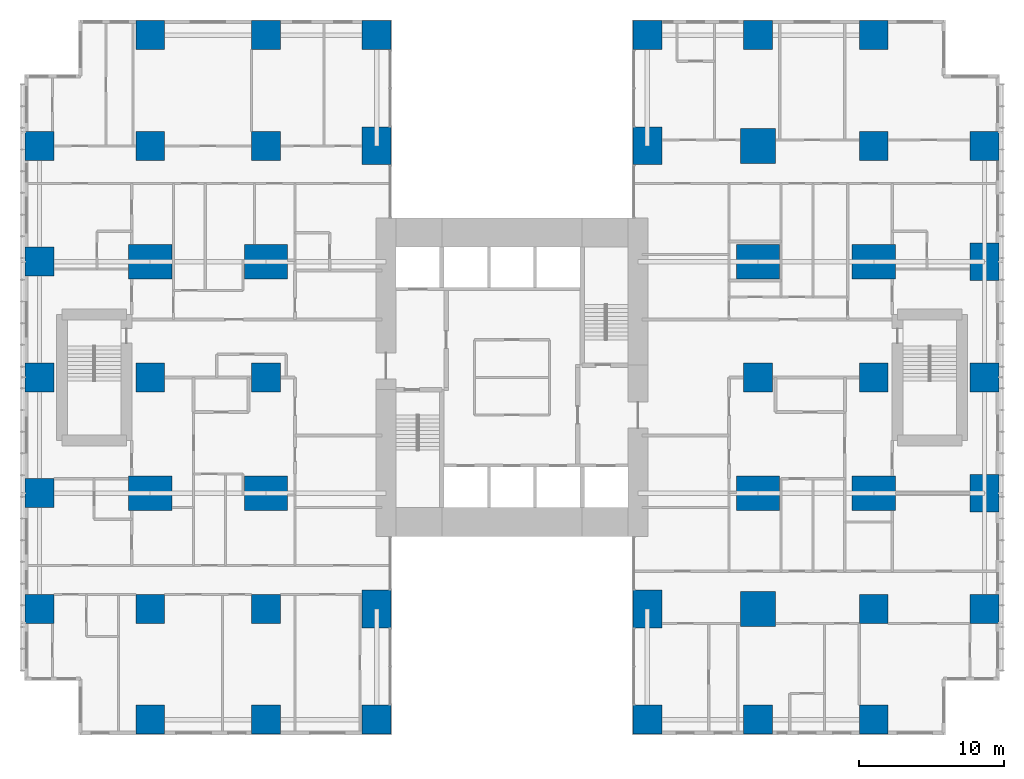
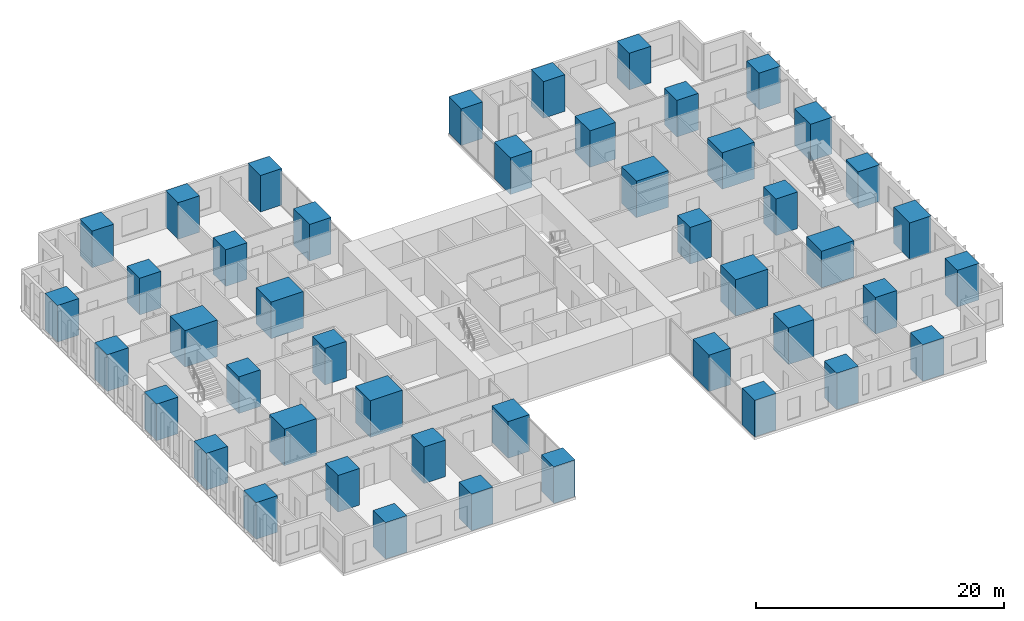
# One storey, part 1 of 20: 46 columns.
"""IFC4 building model written with IfcOpenShell, lengths in metres."""

from ifc_helpers import new_model, si_unit, direction, frame, origin, origin_2d, place, context, subcontext, project, spatial, rectangle, extrude, material, material_profile, profile_set, type_object, element, save


model = new_model("IFC4")

# Units and contexts
model_context = context("Model", 3, precision=1e-05, world=origin(), true_north=direction((0.0, 1.0)))
body_context = subcontext(model_context, "Body", "Model", "MODEL_VIEW")
ifc_project = project(units=[si_unit("LENGTHUNIT", "METRE"), si_unit("AREAUNIT", "SQUARE_METRE"), si_unit("VOLUMEUNIT", "CUBIC_METRE"), si_unit("PLANEANGLEUNIT", "RADIAN"), si_unit("MASSUNIT", "GRAM", prefix="KILO")], contexts=[model_context])

# Site, building, storey
site_placement = place(None, origin())
site = spatial("IfcSite", under=ifc_project, at=site_placement, CompositionType="ELEMENT")
building_placement = place(site_placement, origin())
building = spatial("IfcBuilding", under=site, at=building_placement, Name="Cleftline Residences", CompositionType="ELEMENT")
storey_placement = place(building_placement, frame((0.0, 0.0, 69.199951171875)))
storey = spatial("IfcBuildingStorey", under=building, at=storey_placement, Name="L17", CompositionType="ELEMENT", Elevation=69.199951171875)

# Columns
ifc_material_1 = material(Name="Concrete B70", Category="concrete")
ifc_material_profile_1 = material_profile(ifc_material_1, rectangle(XDim=2.0, YDim=2.0, at=origin_2d()))
ifc_profile_set_1 = profile_set([ifc_material_profile_1], Name="Concrete B70")
column_type_1 = type_object("IfcColumnType", Name="COLUMN RC2000X2000", PredefinedType="COLUMN", material=ifc_profile_set_1)
for number, where, z_axis, x_axis, name in (
    (1, (0.35009765625, 8.0, 0.0), (0.0, 0.0, 1.0), (1.0, 0.0, 0.0), "Column D/3"),
    (2, (0.35009765625, 16.0, 0.0), (0.0, 0.0, 1.0), (1.0, 0.0, 0.0), "Column E/3"),
    (3, (0.35009765625, 24.0, 0.0), (0.0, 0.0, 1.0), (1.0, 0.0, 0.0), "Column F/3"),
    (4, (0.35009765625, 32.0, 0.0), (0.0, 0.0, 1.0), (1.0, 0.0, 0.0), "Column G/3"),
    (5, (0.35009765625, 40.0, 0.0), (0.0, 0.0, 1.0), (1.0, 0.0, 0.0), "Column H/3"),
    (6, (8.0, 0.35009765625, 0.0), (0.0, 0.0, 1.0), (1.0, 0.0, 0.0), "Column C/4"),
    (7, (8.0, 8.0, 0.0), (0.0, 0.0, 1.0), (1.0, 0.0, 0.0), "Column D/4"),
    (8, (8.0, 24.0, 0.0), (0.0, 0.0, 1.0), (1.0, 0.0, 0.0), "Column F/4"),
    (9, (8.0, 40.0, 0.0), (0.0, 0.0, 1.0), (1.0, 0.0, 0.0), "Column H/4"),
    (10, (8.0, 47.64990234375, 0.0), (0.0, 0.0, 1.0), (1.0, 0.0, 0.0), "Column J/4"),
    (11, (16.0, 0.35009765625, 0.0), (0.0, 0.0, 1.0), (1.0, 0.0, 0.0), "Column C/5"),
    (12, (16.0, 8.0, 0.0), (0.0, 0.0, 1.0), (1.0, 0.0, 0.0), "Column D/5"),
    (13, (16.0, 24.0, 0.0), (0.0, 0.0, 1.0), (1.0, 0.0, 0.0), "Column F/5"),
    (14, (16.0, 40.0, 0.0), (0.0, 0.0, 1.0), (1.0, 0.0, 0.0), "Column H/5"),
    (15, (16.0, 47.64990234375, 0.0), (0.0, 0.0, 1.0), (1.0, 0.0, 0.0), "Column J/5"),
    (16, (23.64990234375, 0.35009765625, 0.0), (0.0, 0.0, 1.0), (1.0, 0.0, 0.0), "Column C/6"),
    (17, (23.64990234375, 47.64990234375, 0.0), (0.0, 0.0, 1.0), (1.0, 0.0, 0.0), "Column J/6"),
    (18, (42.35009765625, 0.35009765625, 0.0), (0.0, 0.0, 1.0), (1.0, 0.0, 0.0), "Column C/8"),
    (19, (42.35009765625, 47.64990234375, 0.0), (0.0, 0.0, 1.0), (1.0, 0.0, 0.0), "Column J/8"),
    (20, (50.0, 0.35009765625, 0.0), (0.0, 0.0, 1.0), (1.0, 0.0, 0.0), "Column C/9"),
    (21, (50.0, 24.0, 0.0), (0.0, 0.0, 1.0), (1.0, 0.0, 0.0), "Column F/9"),
    (22, (50.0, 47.64990234375, 0.0), (0.0, 0.0, 1.0), (1.0, 0.0, 0.0), "Column J/9"),
    (23, (58.0, 0.35009765625, 0.0), (0.0, 0.0, 1.0), (1.0, 0.0, 0.0), "Column C/10"),
    (24, (58.0, 8.0, 0.0), (0.0, 0.0, 1.0), (1.0, 0.0, 0.0), "Column D/10"),
    (25, (58.0, 24.0, 0.0), (0.0, 0.0, 1.0), (1.0, 0.0, 0.0), "Column F/10"),
    (26, (58.0, 40.0, 0.0), (0.0, 0.0, 1.0), (1.0, 0.0, 0.0), "Column H/10"),
    (27, (58.0, 47.64990234375, 0.0), (0.0, 0.0, 1.0), (1.0, 0.0, 0.0), "Column J/10"),
    (28, (65.64990234375, 8.0, 0.0), (0.0, 0.0, 1.0), (1.0, 0.0, 0.0), "Column D/11"),
    (29, (65.64990234375, 24.0, 0.0), (0.0, 0.0, 1.0), (1.0, 0.0, 0.0), "Column F/11"),
    (30, (65.64990234375, 40.0, 0.0), (0.0, 0.0, 1.0), (1.0, 0.0, 0.0), "Column H/11"),
):
    element("IfcColumn", number, at=place(storey_placement, frame(where, z_axis=z_axis, x_axis=x_axis)), inside=storey, type_object=column_type_1, Name=name, PredefinedType="COLUMN", context=body_context, shape_type="SweptSolid", body=[
        extrude(rectangle(XDim=2.0, YDim=2.0, at=origin_2d()), origin(), (0.0, 0.0, 1.0), 3.60009765625),
    ])
ifc_material_2 = material(Name="Concrete B70", Category="concrete")
ifc_material_profile_2 = material_profile(ifc_material_2, rectangle(XDim=2.0, YDim=2.60009765625, at=origin_2d()))
ifc_profile_set_2 = profile_set([ifc_material_profile_2], Name="Concrete B70")
column_type_2 = type_object("IfcColumnType", Name="COLUMN RC2000X2600", PredefinedType="COLUMN", material=ifc_profile_set_2)
for number, where, z_axis, x_axis, name in (
    (31, (23.64990234375, 8.0, 0.0), (0.0, 0.0, 1.0), (1.0, 0.0, 0.0), "Column D/6"),
    (32, (23.64990234375, 40.0, 0.0), (0.0, 0.0, 1.0), (1.0, 0.0, 0.0), "Column H/6"),
    (33, (42.35009765625, 8.0, 0.0), (0.0, 0.0, 1.0), (1.0, 0.0, 0.0), "Column D/8"),
    (34, (42.35009765625, 40.0, 0.0), (0.0, 0.0, 1.0), (1.0, 0.0, 0.0), "Column H/8"),
):
    element("IfcColumn", number, at=place(storey_placement, frame(where, z_axis=z_axis, x_axis=x_axis)), inside=storey, type_object=column_type_2, Name=name, PredefinedType="COLUMN", context=body_context, shape_type="SweptSolid", body=[
        extrude(rectangle(XDim=2.0, YDim=2.60009765625, at=origin_2d()), origin(), (0.0, 0.0, 1.0), 3.60009765625),
    ])
ifc_material_3 = material(Name="Concrete B70", Category="concrete")
ifc_material_profile_3 = material_profile(ifc_material_3, rectangle(XDim=2.39990234375, YDim=2.39990234375, at=origin_2d()))
ifc_profile_set_3 = profile_set([ifc_material_profile_3], Name="Concrete B70")
column_type_3 = type_object("IfcColumnType", Name="COLUMN RC2400X2400", PredefinedType="COLUMN", material=ifc_profile_set_3)
for number, where, z_axis, x_axis, name in (
    (35, (50.0, 8.0, 0.0), (0.0, 0.0, 1.0), (1.0, 0.0, 0.0), "Column D/9"),
    (36, (50.0, 40.0, 0.0), (0.0, 0.0, 1.0), (1.0, 0.0, 0.0), "Column H/9"),
):
    element("IfcColumn", number, at=place(storey_placement, frame(where, z_axis=z_axis, x_axis=x_axis)), inside=storey, type_object=column_type_3, Name=name, PredefinedType="COLUMN", context=body_context, shape_type="SweptSolid", body=[
        extrude(rectangle(XDim=2.39990234375, YDim=2.39990234375, at=origin_2d()), origin(), (0.0, 0.0, 1.0), 3.60009765625),
    ])
ifc_material_4 = material(Name="Concrete B70", Category="concrete")
ifc_material_profile_4 = material_profile(ifc_material_4, rectangle(XDim=2.60009765625, YDim=2.0, at=origin_2d()))
ifc_profile_set_4 = profile_set([ifc_material_profile_4], Name="Concrete B70")
column_type_4 = type_object("IfcColumnType", Name="COLUMN RC2600X2000", PredefinedType="COLUMN", material=ifc_profile_set_4)
for number, where, z_axis, x_axis, name in (
    (37, (65.64990234375, 16.0, 0.0), (0.0, 0.0, 1.0), (0.0, 1.0, 0.0), "Column E/11"),
    (38, (65.64990234375, 32.0, 0.0), (0.0, 0.0, 1.0), (0.0, 1.0, 0.0), "Column G/11"),
):
    element("IfcColumn", number, at=place(storey_placement, frame(where, z_axis=z_axis, x_axis=x_axis)), inside=storey, type_object=column_type_4, Name=name, PredefinedType="COLUMN", context=body_context, shape_type="SweptSolid", body=[
        extrude(rectangle(XDim=2.60009765625, YDim=2.0, at=origin_2d()), origin(), (0.0, 0.0, 1.0), 3.60009765625),
    ])
ifc_material_5 = material(Name="Concrete B70", Category="concrete")
ifc_material_profile_5 = material_profile(ifc_material_5, rectangle(XDim=3.0, YDim=2.39990234375, at=origin_2d()))
ifc_profile_set_5 = profile_set([ifc_material_profile_5], Name="Concrete B70")
column_type_5 = type_object("IfcColumnType", Name="COLUMN RC3000X2400", PredefinedType="COLUMN", material=ifc_profile_set_5)
for number, where, z_axis, x_axis, name in (
    (39, (8.0, 16.0, 0.0), (0.0, 0.0, 1.0), (1.0, 0.0, 0.0), "Column E/4"),
    (40, (8.0, 32.0, 0.0), (0.0, 0.0, 1.0), (1.0, 0.0, 0.0), "Column G/4"),
    (41, (16.0, 16.0, 0.0), (0.0, 0.0, 1.0), (1.0, 0.0, 0.0), "Column E/5"),
    (42, (16.0, 32.0, 0.0), (0.0, 0.0, 1.0), (1.0, 0.0, 0.0), "Column G/5"),
    (43, (50.0, 16.0, 0.0), (0.0, 0.0, 1.0), (1.0, 0.0, 0.0), "Column E/9"),
    (44, (50.0, 32.0, 0.0), (0.0, 0.0, 1.0), (1.0, 0.0, 0.0), "Column G/9"),
    (45, (58.0, 16.0, 0.0), (0.0, 0.0, 1.0), (1.0, 0.0, 0.0), "Column E/10"),
    (46, (58.0, 32.0, 0.0), (0.0, 0.0, 1.0), (1.0, 0.0, 0.0), "Column G/10"),
):
    element("IfcColumn", number, at=place(storey_placement, frame(where, z_axis=z_axis, x_axis=x_axis)), inside=storey, type_object=column_type_5, Name=name, PredefinedType="COLUMN", context=body_context, shape_type="SweptSolid", body=[
        extrude(rectangle(XDim=3.0, YDim=2.39990234375, at=origin_2d()), origin(), (0.0, 0.0, 1.0), 3.60009765625),
    ])

save(model, "model.ifc")
